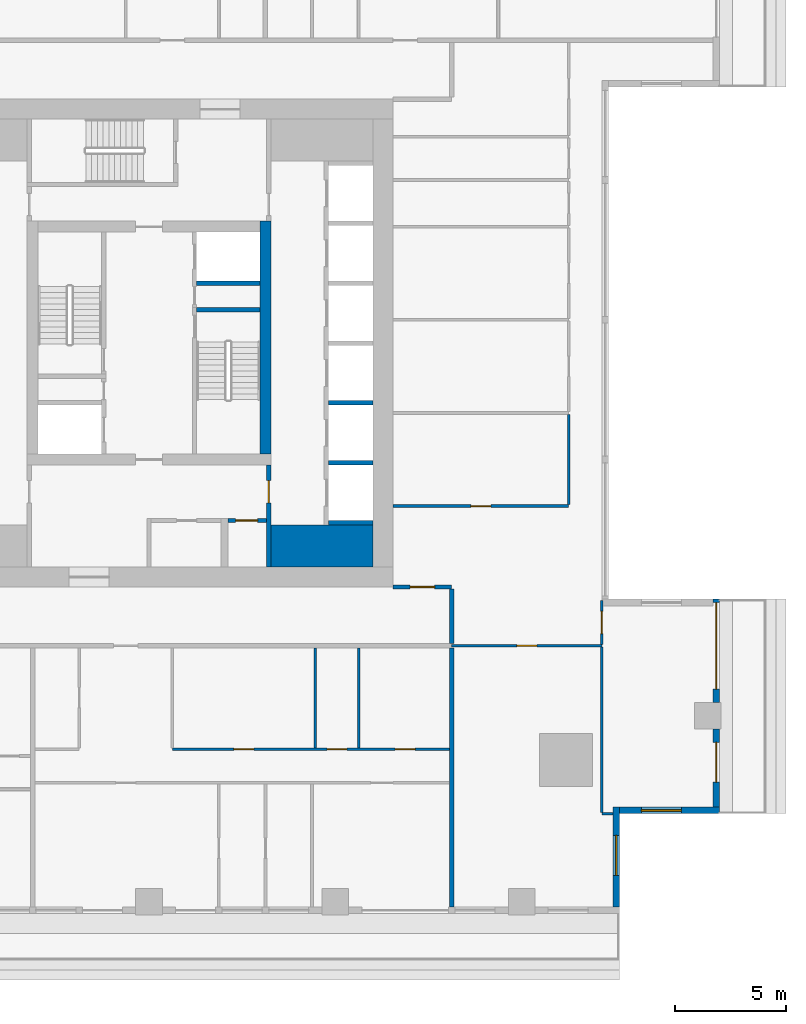
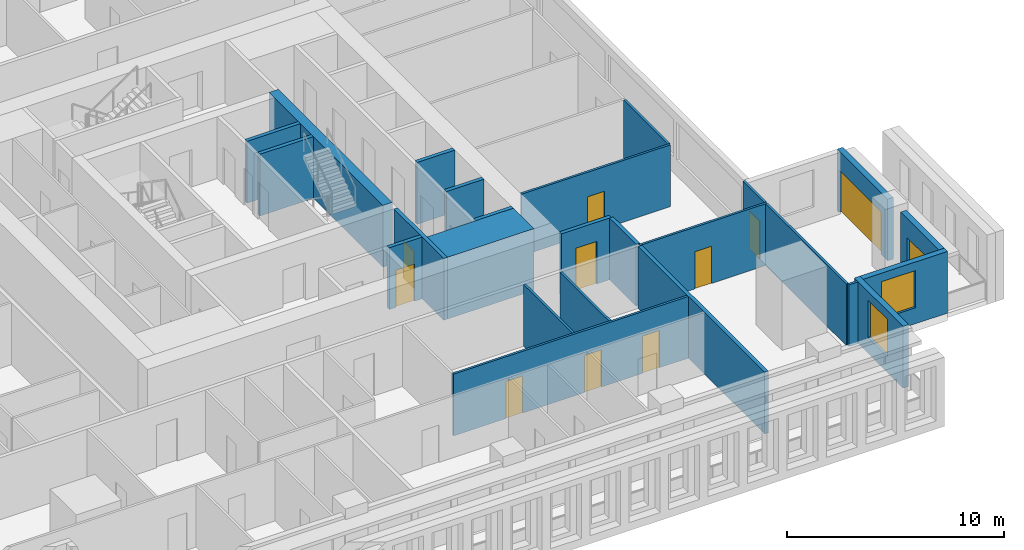
# One storey, part 5 of 15: 25 walls, 11 doors, 2 windows, 13 openings.
"""IFC4 building model written with IfcOpenShell, lengths in metres."""

from ifc_helpers import new_model, si_unit, direction, frame, frame_2d, origin, place, context, subcontext, project, spatial, rectangle, extrude, material, layer, layer_set, type_object, element, fill, save


model = new_model("IFC4")

# Units and contexts
model_context = context("Model", 3, precision=1e-05, world=origin(), true_north=direction((0.0, 1.0)))
body_context = subcontext(model_context, "Body", "Model", "MODEL_VIEW")
ifc_project = project(units=[si_unit("LENGTHUNIT", "METRE"), si_unit("AREAUNIT", "SQUARE_METRE"), si_unit("VOLUMEUNIT", "CUBIC_METRE"), si_unit("PLANEANGLEUNIT", "RADIAN"), si_unit("MASSUNIT", "GRAM", prefix="KILO")], contexts=[model_context])

# Site, building, storey
site_placement = place(None, origin())
site = spatial("IfcSite", under=ifc_project, at=site_placement, CompositionType="ELEMENT")
building_placement = place(site_placement, origin())
building = spatial("IfcBuilding", under=site, at=building_placement, Name="Khepri Terraces", CompositionType="ELEMENT")
storey_placement = place(building_placement, frame((0.0, 0.0, 223.5)))
storey = spatial("IfcBuildingStorey", under=building, at=storey_placement, Name="L53", CompositionType="ELEMENT", Elevation=223.5)

# Walls
ifc_material_1 = material(Name="Concrete C50/60", Category="concrete")
ifc_layer_1 = layer(ifc_material_1, 1.89990234375, Name="Concrete C50/60", Category="concrete")
ifc_layer_set_1 = layer_set([ifc_layer_1], Name="Concrete C50/60")
wall_type_1 = type_object("IfcWallType", Name="Core wall 1900 C50/60", PredefinedType="SHEAR", material=ifc_layer_set_1)
wall_1_placement = place(storey_placement, frame((5.5, -9.14990234375, 0.0), z_axis=(0.0, 0.0, 1.0), x_axis=(1.0, 0.0, 0.0)))
element("IfcWall", 1, at=wall_1_placement, inside=storey, type_object=wall_type_1, Name="Core wall PR02 L53", PredefinedType="SHEAR", context=body_context, shape_type="SweptSolid", body=[
    extrude(rectangle(XDim=4.60009765625, YDim=1.89990234375, at=frame_2d((2.300048828125, 0.0))), origin(), (0.0, 0.0, 1.0), 3.47998046875),
])
ifc_layer_2 = layer(ifc_material_1, 0.199951171875, Name="Concrete C50/60", Category="concrete")
ifc_layer_set_2 = layer_set([ifc_layer_2], Name="Concrete C50/60")
wall_type_2 = type_object("IfcWallType", Name="Core wall 200 C50/60", PredefinedType="SHEAR", material=ifc_layer_set_2)
wall_2_placement = place(storey_placement, frame((2.14990234375, 1.5, 0.0), z_axis=(0.0, 0.0, 1.0), x_axis=(1.0, 0.0, 0.0)))
element("IfcWall", 2, at=wall_2_placement, inside=storey, type_object=wall_type_2, Name="Core wall ST04 L53", PredefinedType="SHEAR", context=body_context, shape_type="SweptSolid", body=[
    extrude(rectangle(XDim=2.85009765625, YDim=0.199951171875, at=frame_2d((1.425048828125, 0.0))), origin(), (0.0, 0.0, 1.0), 3.47998046875),
])
for number, where, z_axis, x_axis, name in (
    (3, (8.10009765625, -8.10009765625, 0.0), (0.0, 0.0, 1.0), (1.0, 0.0, 0.0), "Core wall SH03 L53"),
    (4, (8.10009765625, -5.39990234375, 0.0), (0.0, 0.0, 1.0), (1.0, 0.0, 0.0), "Core wall SH04 L53"),
    (5, (8.10009765625, -2.699951171875, 0.0), (0.0, 0.0, 1.0), (1.0, 0.0, 0.0), "Core wall SH08 L53"),
):
    element("IfcWall", number, at=place(storey_placement, frame(where, z_axis=z_axis, x_axis=x_axis)), inside=storey, type_object=wall_type_2, Name=name, PredefinedType="SHEAR", context=body_context, shape_type="SweptSolid", body=[
        extrude(rectangle(XDim=2.0, YDim=0.199951171875, at=frame_2d((1.0, 0.0))), origin(), (0.0, 0.0, 1.0), 3.47998046875),
    ])
wall_3_placement = place(storey_placement, frame((2.14990234375, 2.699951171875, 0.0), z_axis=(0.0, 0.0, 1.0), x_axis=(1.0, 0.0, 0.0)))
element("IfcWall", 6, at=wall_3_placement, inside=storey, type_object=wall_type_2, Name="Core wall SH12 L53", PredefinedType="SHEAR", context=body_context, shape_type="SweptSolid", body=[
    extrude(rectangle(XDim=2.85009765625, YDim=0.199951171875, at=frame_2d((1.425048828125, 0.0))), origin(), (0.0, 0.0, 1.0), 3.47998046875),
])
ifc_layer_3 = layer(ifc_material_1, 0.5, Name="Concrete C50/60", Category="concrete")
ifc_layer_set_3 = layer_set([ifc_layer_3], Name="Concrete C50/60")
wall_type_3 = type_object("IfcWallType", Name="Core wall 500 C50/60", PredefinedType="SHEAR", material=ifc_layer_set_3)
wall_4_placement = place(storey_placement, frame((5.25, -5.0, 0.0), z_axis=(0.0, 0.0, 1.0), x_axis=(0.0, 1.0, 0.0)))
element("IfcWall", 7, at=wall_4_placement, inside=storey, type_object=wall_type_3, Name="Core wall BX03 L53", PredefinedType="SHEAR", context=body_context, shape_type="SweptSolid", body=[
    extrude(rectangle(XDim=10.5, YDim=0.5, at=frame_2d((5.25, 0.0))), origin(), (0.0, 0.0, 1.0), 3.47998046875),
])

# Wall, opening, door
ifc_material_2 = material(Name="Fire-rated gypsum board partition")
ifc_layer_4 = layer(ifc_material_2, 0.199951171875, Name="Fire-rated gypsum board partition")
ifc_layer_set_4 = layer_set([ifc_layer_4], Name="Fire-rated gypsum board partition")
wall_type_4 = type_object("IfcWallType", Name="WL-CORE-PART-200", PredefinedType="PARTITIONING", material=ifc_layer_set_4)
wall_5_placement = place(storey_placement, frame((5.39990234375, -10.10009765625, 0.0), z_axis=(0.0, 0.0, 1.0), x_axis=(0.0, 1.0, 0.0)))
wall_5 = element("IfcWall", 8, at=wall_5_placement, inside=storey, type_object=wall_type_4, Name="Core partition PT04 L53", PredefinedType="PARTITIONING", context=body_context, shape_type="SweptSolid", body=[
    extrude(rectangle(XDim=4.60009765625, YDim=0.199951171875, at=frame_2d((2.300048828125, 0.0))), origin(), (0.0, 0.0, 1.0), 3.47998046875),
])
opening_1_placement = place(wall_5_placement, frame((2.89990234375, 0.0, 0.0)))
opening_1 = element("IfcOpeningElement", 9, at=opening_1_placement, cuts=wall_5, Name="Opening L53-C19", PredefinedType="OPENING", context=body_context, shape_type="SweptSolid", body=[
    extrude(rectangle(XDim=1.0, YDim=2.10009765625, at=frame_2d((0.5, 1.050048828125))), frame((0.0, 0.10986328125, 0.0), z_axis=(0.0, -1.0, 0.0), x_axis=(1.0, 0.0, 0.0)), (0.0, 0.0, 1.0), 0.219970703125),
])
ifc_material_3 = material(Name="Painted steel", Category="steel")
door_type_1 = type_object("IfcDoorType", Name="DR-CORE-LOBBY-1000", OperationType="NOTDEFINED", PredefinedType="DOOR", material=ifc_material_3)
door_1_placement = place(opening_1_placement, origin())
door_1 = element("IfcDoor", 10, at=door_1_placement, inside=storey, type_object=door_type_1, Name="Lobby door L53-C19", OperationType="SINGLE_SWING_RIGHT", OverallHeight=2.10009765625, OverallWidth=1.0, PredefinedType="DOOR", context=body_context, shape_type="SweptSolid", body=[
    extrude(rectangle(XDim=1.0, YDim=2.10009765625, at=frame_2d((0.5, 1.050048828125))), frame((0.0, 0.02490234375, 0.0), z_axis=(0.0, -1.0, 0.0), x_axis=(1.0, 0.0, 0.0)), (0.0, 0.0, 1.0), 0.050048828125),
])
fill(opening_1, door_1)

wall_6_placement = place(storey_placement, frame((3.550048828125, -8.0, 0.0), z_axis=(0.0, 0.0, 1.0), x_axis=(1.0, 0.0, 0.0)))
wall_6 = element("IfcWall", 11, at=wall_6_placement, inside=storey, type_object=wall_type_4, Name="Core partition PT07 L53", PredefinedType="PARTITIONING", context=body_context, shape_type="SweptSolid", body=[
    extrude(rectangle(XDim=1.75, YDim=0.199951171875, at=frame_2d((0.875, 0.0))), origin(), (0.0, 0.0, 1.0), 3.47998046875),
])
opening_2_placement = place(wall_6_placement, frame((0.35009765625, 0.0, 0.0)))
opening_2 = element("IfcOpeningElement", 12, at=opening_2_placement, cuts=wall_6, Name="Opening L53-C23", PredefinedType="OPENING", context=body_context, shape_type="SweptSolid", body=[
    extrude(rectangle(XDim=1.0, YDim=2.10009765625, at=frame_2d((0.5, 1.050048828125))), frame((0.0, 0.10986328125, 0.0), z_axis=(0.0, -1.0, 0.0), x_axis=(1.0, 0.0, 0.0)), (0.0, 0.0, 1.0), 0.219970703125),
])
ifc_material_4 = material(Name="Timber veneer", Category="wood")
door_type_2 = type_object("IfcDoorType", Name="DR-CORE-WC-1000", OperationType="NOTDEFINED", PredefinedType="DOOR", material=ifc_material_4)
door_2_placement = place(opening_2_placement, frame((1.0, 0.0, 0.0), z_axis=(0.0, 0.0, 1.0), x_axis=(-1.0, 0.0, 0.0)))
door_2 = element("IfcDoor", 13, at=door_2_placement, inside=storey, type_object=door_type_2, Name="WC door L53-C23", OperationType="SINGLE_SWING_RIGHT", OverallHeight=2.10009765625, OverallWidth=1.0, PredefinedType="DOOR", context=body_context, shape_type="SweptSolid", body=[
    extrude(rectangle(XDim=1.0, YDim=2.10009765625, at=frame_2d((0.5, 1.050048828125))), frame((0.0, 0.02490234375, 0.0), z_axis=(0.0, -1.0, 0.0), x_axis=(1.0, 0.0, 0.0)), (0.0, 0.0, 1.0), 0.050048828125),
])
fill(opening_2, door_2)

# Walls
ifc_material_5 = material(Name="Fire-rated gypsum plasterboard partition, mineral wool")
ifc_layer_5 = layer(ifc_material_5, 0.199951171875, Name="Fire-rated gypsum plasterboard partition, mineral wool")
ifc_layer_set_5 = layer_set([ifc_layer_5], Name="Fire-rated gypsum plasterboard partition, mineral wool")
wall_type_5 = type_object("IfcWallType", Name="WL-CORR-200", PredefinedType="PARTITIONING", material=ifc_layer_set_5)
wall_7_placement = place(storey_placement, frame((13.64990234375, -25.419921875, 0.0), z_axis=(0.0, 0.0, 1.0), x_axis=(0.0, 1.0, 0.0)))
element("IfcWall", 14, at=wall_7_placement, inside=storey, type_object=wall_type_5, Name="Partition P-008 L53", PredefinedType="PARTITIONING", context=body_context, shape_type="SweptSolid", body=[
    extrude(rectangle(XDim=11.669921875, YDim=0.199951171875, at=frame_2d((5.8349609375, 0.0))), origin(), (0.0, 0.0, 1.0), 3.47998046875),
])
wall_8_placement = place(storey_placement, frame((13.64990234375, -13.550048828125, 0.0), z_axis=(0.0, 0.0, 1.0), x_axis=(0.0, 1.0, 0.0)))
element("IfcWall", 15, at=wall_8_placement, inside=storey, type_object=wall_type_5, Name="Partition P-029 L53", PredefinedType="PARTITIONING", context=body_context, shape_type="SweptSolid", body=[
    extrude(rectangle(XDim=2.449951171875, YDim=0.199951171875, at=frame_2d((1.22509765625, 0.0))), origin(), (0.0, 0.0, 1.0), 3.47998046875),
])

# Wall, opening, door
wall_9_placement = place(storey_placement, frame((11.0, -11.0, 0.0), z_axis=(0.0, 0.0, 1.0), x_axis=(1.0, 0.0, 0.0)))
wall_9 = element("IfcWall", 16, at=wall_9_placement, inside=storey, type_object=wall_type_5, Name="Partition P-035 L53", PredefinedType="PARTITIONING", context=body_context, shape_type="SweptSolid", body=[
    extrude(rectangle(XDim=2.64990234375, YDim=0.199951171875, at=frame_2d((1.324951171875, 0.0))), origin(), (0.0, 0.0, 1.0), 3.47998046875),
])
opening_3_placement = place(wall_9_placement, frame((0.77490234375, 0.0, 0.0)))
opening_3 = element("IfcOpeningElement", 17, at=opening_3_placement, cuts=wall_9, Name="Opening D1", PredefinedType="OPENING", context=body_context, shape_type="SweptSolid", body=[
    extrude(rectangle(XDim=1.10009765625, YDim=2.39990234375, at=frame_2d((0.550048828125, 1.199951171875))), frame((0.0, 0.10986328125, 0.0), z_axis=(0.0, -1.0, 0.0), x_axis=(1.0, 0.0, 0.0)), (0.0, 0.0, 1.0), 0.219970703125),
])
ifc_material_6 = material(Name="Solid-core timber door leaf, flat entrance door", Category="wood")
door_type_3 = type_object("IfcDoorType", Name="DR-ENT-1100", OperationType="NOTDEFINED", PredefinedType="DOOR", material=ifc_material_6)
door_3_placement = place(opening_3_placement, origin())
door_3 = element("IfcDoor", 18, at=door_3_placement, inside=storey, type_object=door_type_3, Name="Flat B1 entrance door", OperationType="SINGLE_SWING_LEFT", OverallHeight=2.39990234375, OverallWidth=1.10009765625, PredefinedType="DOOR", context=body_context, shape_type="SweptSolid", body=[
    extrude(rectangle(XDim=1.10009765625, YDim=2.39990234375, at=frame_2d((0.550048828125, 1.199951171875))), frame((0.0, 0.02490234375, 0.0), z_axis=(0.0, -1.0, 0.0), x_axis=(1.0, 0.0, 0.0)), (0.0, 0.0, 1.0), 0.050048828125),
])
fill(opening_3, door_3)

# Wall, opening, window
ifc_material_7 = material(Name="Precast concrete C50/60 warm stone", Category="masonry")
ifc_layer_6 = layer(ifc_material_7, 0.300048828125, Name="Precast concrete C50/60 warm stone", Category="masonry")
ifc_layer_set_6 = layer_set([ifc_layer_6], Name="Precast concrete C50/60 warm stone")
wall_type_6 = type_object("IfcWallType", Name="WL-EXT-PRECAST-300", PredefinedType="STANDARD", material=ifc_layer_set_6)
wall_10_placement = place(storey_placement, frame((21.219970703125, -21.070068359375, 0.0), z_axis=(0.0, 0.0, 1.0), x_axis=(1.0, 0.0, 0.0)))
wall_10 = element("IfcWall", 19, at=wall_10_placement, inside=storey, type_object=wall_type_6, Name="External wall L53 S", PredefinedType="STANDARD", context=body_context, shape_type="SweptSolid", body=[
    extrude(rectangle(XDim=4.5, YDim=0.300048828125, at=frame_2d((2.25, 0.0))), origin(), (0.0, 0.0, 1.0), 3.47998046875),
])
opening_4_placement = place(wall_10_placement, frame((0.97998046875, 0.0, 0.89990234375)))
opening_4 = element("IfcOpeningElement", 20, at=opening_4_placement, cuts=wall_10, Name="Opening W1", PredefinedType="OPENING", context=body_context, shape_type="SweptSolid", body=[
    extrude(rectangle(XDim=1.800048828125, YDim=2.10009765625, at=frame_2d((0.89990234375, 1.050048828125))), frame((0.0, 0.16015625, 0.0), z_axis=(0.0, -1.0, 0.0), x_axis=(1.0, 0.0, 0.0)), (0.0, 0.0, 1.0), 0.320068359375),
])
ifc_material_8 = material(Name="Clear glass", Category="glass")
window_type = type_object("IfcWindowType", Name="WIN-RES-1800x2100", PartitioningType="SINGLE_PANEL", PredefinedType="WINDOW", material=ifc_material_8)
window_1_placement = place(opening_4_placement, origin())
window_1 = element("IfcWindow", 21, at=window_1_placement, inside=storey, type_object=window_type, Name="Window L53 S", OverallHeight=2.10009765625, OverallWidth=1.800048828125, PartitioningType="SINGLE_PANEL", PredefinedType="WINDOW", context=body_context, shape_type="SweptSolid", body=[
    extrude(rectangle(XDim=1.800048828125, YDim=2.10009765625, at=frame_2d((0.89990234375, 1.050048828125))), frame((0.0, 0.030029296875, 0.0), z_axis=(0.0, -1.0, 0.0), x_axis=(1.0, 0.0, 0.0)), (0.0, 0.0, 1.0), 0.06005859375),
])
fill(opening_4, window_1)

# Wall, opening, door
wall_11_placement = place(storey_placement, frame((25.570068359375, -20.919921875, 0.0), z_axis=(0.0, 0.0, 1.0), x_axis=(0.0, 1.0, 0.0)))
wall_11 = element("IfcWall", 22, at=wall_11_placement, inside=storey, type_object=wall_type_6, Name="External wall L53 E", PredefinedType="STANDARD", context=body_context, shape_type="SweptSolid", body=[
    extrude(rectangle(XDim=3.52001953125, YDim=0.300048828125, at=frame_2d((1.760009765625, 0.0))), origin(), (0.0, 0.0, 1.0), 3.47998046875),
])
opening_5_placement = place(wall_11_placement, frame((1.1201171875, 0.0, 0.0)))
opening_5 = element("IfcOpeningElement", 23, at=opening_5_placement, cuts=wall_11, Name="Opening ED-L53-01", PredefinedType="OPENING", context=body_context, shape_type="SweptSolid", body=[
    extrude(rectangle(XDim=1.800048828125, YDim=2.39990234375, at=frame_2d((0.89990234375, 1.199951171875))), frame((0.0, 0.16015625, 0.0), z_axis=(0.0, -1.0, 0.0), x_axis=(1.0, 0.0, 0.0)), (0.0, 0.0, 1.0), 0.320068359375),
])
ifc_material_9 = material(Name="Anodised aluminium bronze glazed door", Category="aluminium")
door_type_4 = type_object("IfcDoorType", Name="DR-BAL-SLIDE-1800x2400", OperationType="NOTDEFINED", PredefinedType="DOOR", material=ifc_material_9)
door_4_placement = place(opening_5_placement, origin())
door_4 = element("IfcDoor", 24, at=door_4_placement, inside=storey, type_object=door_type_4, Name="Balcony door L53 E", OperationType="SLIDING_TO_RIGHT", OverallHeight=2.39990234375, OverallWidth=1.800048828125, PredefinedType="DOOR", context=body_context, shape_type="SweptSolid", body=[
    extrude(rectangle(XDim=1.800048828125, YDim=2.39990234375, at=frame_2d((0.89990234375, 1.199951171875))), frame((0.0, 0.02490234375, 0.0), z_axis=(0.0, -1.0, 0.0), x_axis=(1.0, 0.0, 0.0)), (0.0, 0.0, 1.0), 0.050048828125),
])
fill(opening_5, door_4)

wall_12_placement = place(storey_placement, frame((25.570068359375, -16.199951171875, 0.0), z_axis=(0.0, 0.0, 1.0), x_axis=(0.0, 1.0, 0.0)))
wall_12 = element("IfcWall", 25, at=wall_12_placement, inside=storey, type_object=wall_type_6, Name="External wall L53 E", PredefinedType="STANDARD", context=body_context, shape_type="SweptSolid", body=[
    extrude(rectangle(XDim=4.64990234375, YDim=0.300048828125, at=frame_2d((2.324951171875, 0.0))), origin(), (0.0, 0.0, 1.0), 3.47998046875),
])
opening_6_placement = place(wall_12_placement, frame((0.60009765625, 0.0, 0.0)))
opening_6 = element("IfcOpeningElement", 26, at=opening_6_placement, cuts=wall_12, Name="Opening ED-L53-02", PredefinedType="OPENING", context=body_context, shape_type="SweptSolid", body=[
    extrude(rectangle(XDim=3.89990234375, YDim=2.39990234375, at=frame_2d((1.949951171875, 1.199951171875))), frame((0.0, 0.16015625, 0.0), z_axis=(0.0, -1.0, 0.0), x_axis=(1.0, 0.0, 0.0)), (0.0, 0.0, 1.0), 0.320068359375),
])
door_type_5 = type_object("IfcDoorType", Name="DR-BAL-SLIDE-3900x2400", OperationType="NOTDEFINED", PredefinedType="DOOR", material=ifc_material_9)
door_5_placement = place(opening_6_placement, origin())
door_5 = element("IfcDoor", 27, at=door_5_placement, inside=storey, type_object=door_type_5, Name="Balcony door L53 E", OperationType="SLIDING_TO_LEFT", OverallHeight=2.39990234375, OverallWidth=3.89990234375, PredefinedType="DOOR", context=body_context, shape_type="SweptSolid", body=[
    extrude(rectangle(XDim=3.89990234375, YDim=2.39990234375, at=frame_2d((1.949951171875, 1.199951171875))), frame((0.0, 0.02490234375, 0.0), z_axis=(0.0, -1.0, 0.0), x_axis=(1.0, 0.0, 0.0)), (0.0, 0.0, 1.0), 0.050048828125),
])
fill(opening_6, door_5)

# Wall, opening, window
wall_13_placement = place(storey_placement, frame((21.070068359375, -25.419921875, 0.0), z_axis=(0.0, 0.0, 1.0), x_axis=(0.0, 1.0, 0.0)))
wall_13 = element("IfcWall", 28, at=wall_13_placement, inside=storey, type_object=wall_type_6, Name="External wall L53 E", PredefinedType="STANDARD", context=body_context, shape_type="SweptSolid", body=[
    extrude(rectangle(XDim=4.5, YDim=0.300048828125, at=frame_2d((2.25, 0.0))), origin(), (0.0, 0.0, 1.0), 3.47998046875),
])
opening_7_placement = place(wall_13_placement, frame((1.419921875, 0.0, 0.89990234375)))
opening_7 = element("IfcOpeningElement", 29, at=opening_7_placement, cuts=wall_13, Name="Opening W1", PredefinedType="OPENING", context=body_context, shape_type="SweptSolid", body=[
    extrude(rectangle(XDim=1.800048828125, YDim=2.10009765625, at=frame_2d((0.89990234375, 1.050048828125))), frame((0.0, 0.16015625, 0.0), z_axis=(0.0, -1.0, 0.0), x_axis=(1.0, 0.0, 0.0)), (0.0, 0.0, 1.0), 0.320068359375),
])
window_2_placement = place(opening_7_placement, origin())
window_2 = element("IfcWindow", 30, at=window_2_placement, inside=storey, type_object=window_type, Name="Window L53 E", OverallHeight=2.10009765625, OverallWidth=1.800048828125, PartitioningType="SINGLE_PANEL", PredefinedType="WINDOW", context=body_context, shape_type="SweptSolid", body=[
    extrude(rectangle(XDim=1.800048828125, YDim=2.10009765625, at=frame_2d((0.89990234375, 1.050048828125))), frame((0.0, 0.030029296875, 0.0), z_axis=(0.0, -1.0, 0.0), x_axis=(1.0, 0.0, 0.0)), (0.0, 0.0, 1.0), 0.06005859375),
])
fill(opening_7, window_2)

# Walls
ifc_material_10 = material(Name="Gypsum plasterboard partition")
ifc_layer_7 = layer(ifc_material_10, 0.1201171875, Name="Gypsum plasterboard partition")
ifc_layer_set_7 = layer_set([ifc_layer_7], Name="Gypsum plasterboard partition")
wall_type_7 = type_object("IfcWallType", Name="WL-PART-120", PredefinedType="PARTITIONING", material=ifc_layer_set_7)
wall_14_placement = place(storey_placement, frame((20.419921875, -21.218994140625, 0.0), z_axis=(0.0, 0.0, 1.0), x_axis=(1.0, 0.0, 0.0)))
element("IfcWall", 31, at=wall_14_placement, inside=storey, type_object=wall_type_7, Name="Partition P-009 L53", PredefinedType="PARTITIONING", context=body_context, shape_type="SweptSolid", body=[
    extrude(rectangle(XDim=0.5009765625, YDim=0.1201171875, at=frame_2d((0.25048828125, 0.0))), origin(), (0.0, 0.0, 1.0), 3.47998046875),
])
wall_15_placement = place(storey_placement, frame((20.419921875, -21.158935546875, 0.0), z_axis=(0.0, 0.0, 1.0), x_axis=(0.0, 1.0, 0.0)))
element("IfcWall", 32, at=wall_15_placement, inside=storey, type_object=wall_type_7, Name="Partition P-010 L53", PredefinedType="PARTITIONING", context=body_context, shape_type="SweptSolid", body=[
    extrude(rectangle(XDim=7.448974609375, YDim=0.1201171875, at=frame_2d((3.724609375, 0.0))), origin(), (0.0, 0.0, 1.0), 3.47998046875),
])

# Wall, openings, doors
wall_16_placement = place(storey_placement, frame((1.050048828125, -18.320068359375, 0.0), z_axis=(0.0, 0.0, 1.0), x_axis=(1.0, 0.0, 0.0)))
wall_16 = element("IfcWall", 33, at=wall_16_placement, inside=storey, type_object=wall_type_7, Name="Partition P-018 L53", PredefinedType="PARTITIONING", context=body_context, shape_type="SweptSolid", body=[
    extrude(rectangle(XDim=12.5, YDim=0.1201171875, at=frame_2d((6.25, 0.0))), origin(), (0.0, 0.0, 1.0), 3.47998046875),
])
opening_8_placement = place(wall_16_placement, frame((2.77490234375, 0.0, 0.0)))
opening_8 = element("IfcOpeningElement", 34, at=opening_8_placement, cuts=wall_16, Name="Opening D3", PredefinedType="OPENING", context=body_context, shape_type="SweptSolid", body=[
    extrude(rectangle(XDim=0.89990234375, YDim=2.10009765625, at=frame_2d((0.449951171875, 1.050048828125))), frame((0.0, 0.070068359375, 0.0), z_axis=(0.0, -1.0, 0.0), x_axis=(1.0, 0.0, 0.0)), (0.0, 0.0, 1.0), 0.14013671875),
])
opening_9_placement = place(wall_16_placement, frame((6.97509765625, 0.0, 0.0)))
opening_9 = element("IfcOpeningElement", 35, at=opening_9_placement, cuts=wall_16, Name="Opening D4", PredefinedType="OPENING", context=body_context, shape_type="SweptSolid", body=[
    extrude(rectangle(XDim=0.89990234375, YDim=2.10009765625, at=frame_2d((0.449951171875, 1.050048828125))), frame((0.0, 0.070068359375, 0.0), z_axis=(0.0, -1.0, 0.0), x_axis=(1.0, 0.0, 0.0)), (0.0, 0.0, 1.0), 0.14013671875),
])
opening_10_placement = place(wall_16_placement, frame((10.050048828125, 0.0, 0.0)))
opening_10 = element("IfcOpeningElement", 36, at=opening_10_placement, cuts=wall_16, Name="Opening D3", PredefinedType="OPENING", context=body_context, shape_type="SweptSolid", body=[
    extrude(rectangle(XDim=0.89990234375, YDim=2.10009765625, at=frame_2d((0.449951171875, 1.050048828125))), frame((0.0, 0.070068359375, 0.0), z_axis=(0.0, -1.0, 0.0), x_axis=(1.0, 0.0, 0.0)), (0.0, 0.0, 1.0), 0.14013671875),
])
ifc_material_11 = material(Name="Timber door leaf", Category="wood")
door_type_6 = type_object("IfcDoorType", Name="DR-INT-900", OperationType="NOTDEFINED", PredefinedType="DOOR", material=ifc_material_11)
door_6_placement = place(opening_8_placement, origin())
door_6 = element("IfcDoor", 37, at=door_6_placement, inside=storey, type_object=door_type_6, Name="Door Kitchen", OperationType="SINGLE_SWING_LEFT", OverallHeight=2.10009765625, OverallWidth=0.89990234375, PredefinedType="DOOR", context=body_context, shape_type="SweptSolid", body=[
    extrude(rectangle(XDim=0.89990234375, YDim=2.10009765625, at=frame_2d((0.449951171875, 1.050048828125))), frame((0.0, 0.02490234375, 0.0), z_axis=(0.0, -1.0, 0.0), x_axis=(1.0, 0.0, 0.0)), (0.0, 0.0, 1.0), 0.050048828125),
])
fill(opening_8, door_6)
door_7_placement = place(opening_10_placement, origin())
door_7 = element("IfcDoor", 38, at=door_7_placement, inside=storey, type_object=door_type_6, Name="Door Utility Room", OperationType="SINGLE_SWING_RIGHT", OverallHeight=2.10009765625, OverallWidth=0.89990234375, PredefinedType="DOOR", context=body_context, shape_type="SweptSolid", body=[
    extrude(rectangle(XDim=0.89990234375, YDim=2.10009765625, at=frame_2d((0.449951171875, 1.050048828125))), frame((0.0, 0.02490234375, 0.0), z_axis=(0.0, -1.0, 0.0), x_axis=(1.0, 0.0, 0.0)), (0.0, 0.0, 1.0), 0.050048828125),
])
fill(opening_10, door_7)
ifc_material_12 = material(Name="Timber door leaf, moisture resistant", Category="wood")
door_type_7 = type_object("IfcDoorType", Name="DR-WET-900", OperationType="NOTDEFINED", PredefinedType="DOOR", material=ifc_material_12)
door_8_placement = place(opening_9_placement, origin())
door_8 = element("IfcDoor", 39, at=door_8_placement, inside=storey, type_object=door_type_7, Name="Door Powder Room", OperationType="SINGLE_SWING_RIGHT", OverallHeight=2.10009765625, OverallWidth=0.89990234375, PredefinedType="DOOR", context=body_context, shape_type="SweptSolid", body=[
    extrude(rectangle(XDim=0.89990234375, YDim=2.10009765625, at=frame_2d((0.449951171875, 1.050048828125))), frame((0.0, 0.02490234375, 0.0), z_axis=(0.0, -1.0, 0.0), x_axis=(1.0, 0.0, 0.0)), (0.0, 0.0, 1.0), 0.050048828125),
])
fill(opening_9, door_8)

# Walls
for number, where, z_axis, x_axis, name in (
    (40, (7.5, -18.260009765625, 0.0), (0.0, 0.0, 1.0), (0.0, 1.0, 0.0), "Partition P-021 L53"),
    (41, (9.449951171875, -18.260009765625, 0.0), (0.0, 0.0, 1.0), (0.0, 1.0, 0.0), "Partition P-022 L53"),
):
    element("IfcWall", number, at=place(storey_placement, frame(where, z_axis=z_axis, x_axis=x_axis)), inside=storey, type_object=wall_type_7, Name=name, PredefinedType="PARTITIONING", context=body_context, shape_type="SweptSolid", body=[
        extrude(rectangle(XDim=4.510009765625, YDim=0.1201171875, at=frame_2d((2.2548828125, 0.0))), origin(), (0.0, 0.0, 1.0), 3.47998046875),
    ])

# Wall, opening, door
wall_17_placement = place(storey_placement, frame((13.64990234375, -13.64990234375, 0.0), z_axis=(0.0, 0.0, 1.0), x_axis=(1.0, 0.0, 0.0)))
wall_17 = element("IfcWall", 42, at=wall_17_placement, inside=storey, type_object=wall_type_7, Name="Partition P-024 L53", PredefinedType="PARTITIONING", context=body_context, shape_type="SweptSolid", body=[
    extrude(rectangle(XDim=6.77001953125, YDim=0.1201171875, at=frame_2d((3.385009765625, 0.0))), origin(), (0.0, 0.0, 1.0), 3.47998046875),
])
opening_11_placement = place(wall_17_placement, frame((2.93505859375, 0.0, 0.0)))
opening_11 = element("IfcOpeningElement", 43, at=opening_11_placement, cuts=wall_17, Name="Opening D3", PredefinedType="OPENING", context=body_context, shape_type="SweptSolid", body=[
    extrude(rectangle(XDim=0.89990234375, YDim=2.10009765625, at=frame_2d((0.449951171875, 1.050048828125))), frame((0.0, 0.070068359375, 0.0), z_axis=(0.0, -1.0, 0.0), x_axis=(1.0, 0.0, 0.0)), (0.0, 0.0, 1.0), 0.14013671875),
])
door_9_placement = place(opening_11_placement, frame((0.89990234375, 0.0, 0.0), z_axis=(0.0, 0.0, 1.0), x_axis=(-1.0, 0.0, 0.0)))
door_9 = element("IfcDoor", 44, at=door_9_placement, inside=storey, type_object=door_type_6, Name="Door Home Gym", OperationType="SINGLE_SWING_RIGHT", OverallHeight=2.10009765625, OverallWidth=0.89990234375, PredefinedType="DOOR", context=body_context, shape_type="SweptSolid", body=[
    extrude(rectangle(XDim=0.89990234375, YDim=2.10009765625, at=frame_2d((0.449951171875, 1.050048828125))), frame((0.0, 0.02490234375, 0.0), z_axis=(0.0, -1.0, 0.0), x_axis=(1.0, 0.0, 0.0)), (0.0, 0.0, 1.0), 0.050048828125),
])
fill(opening_11, door_9)

wall_18_placement = place(storey_placement, frame((20.419921875, -13.590087890625, 0.0), z_axis=(0.0, 0.0, 1.0), x_axis=(0.0, 1.0, 0.0)))
wall_18 = element("IfcWall", 45, at=wall_18_placement, inside=storey, type_object=wall_type_7, Name="Partition P-025 L53", PredefinedType="PARTITIONING", context=body_context, shape_type="SweptSolid", body=[
    extrude(rectangle(XDim=1.97998046875, YDim=0.1201171875, at=frame_2d((0.989990234375, 0.0))), origin(), (0.0, 0.0, 1.0), 3.47998046875),
])
opening_12_placement = place(wall_18_placement, frame((0.489990234375, 0.0, 0.0)))
opening_12 = element("IfcOpeningElement", 46, at=opening_12_placement, cuts=wall_18, Name="Opening D2", PredefinedType="OPENING", context=body_context, shape_type="SweptSolid", body=[
    extrude(rectangle(XDim=1.0, YDim=2.10009765625, at=frame_2d((0.5, 1.050048828125))), frame((0.0, 0.070068359375, 0.0), z_axis=(0.0, -1.0, 0.0), x_axis=(1.0, 0.0, 0.0)), (0.0, 0.0, 1.0), 0.14013671875),
])
ifc_material_13 = material(Name="Timber door leaf, living room door", Category="wood")
door_type_8 = type_object("IfcDoorType", Name="DR-INT-1000", OperationType="NOTDEFINED", PredefinedType="DOOR", material=ifc_material_13)
door_10_placement = place(opening_12_placement, frame((1.0, 0.0, 0.0), z_axis=(0.0, 0.0, 1.0), x_axis=(-1.0, 0.0, 0.0)))
door_10 = element("IfcDoor", 47, at=door_10_placement, inside=storey, type_object=door_type_8, Name="Door Living Room", OperationType="SINGLE_SWING_RIGHT", OverallHeight=2.10009765625, OverallWidth=1.0, PredefinedType="DOOR", context=body_context, shape_type="SweptSolid", body=[
    extrude(rectangle(XDim=1.0, YDim=2.10009765625, at=frame_2d((0.5, 1.050048828125))), frame((0.0, 0.02490234375, 0.0), z_axis=(0.0, -1.0, 0.0), x_axis=(1.0, 0.0, 0.0)), (0.0, 0.0, 1.0), 0.050048828125),
])
fill(opening_12, door_10)

wall_19_placement = place(storey_placement, frame((11.0, -7.35009765625, 0.0), z_axis=(0.0, 0.0, 1.0), x_axis=(1.0, 0.0, 0.0)))
wall_19 = element("IfcWall", 48, at=wall_19_placement, inside=storey, type_object=wall_type_7, Name="Partition P-038 L53", PredefinedType="PARTITIONING", context=body_context, shape_type="SweptSolid", body=[
    extrude(rectangle(XDim=7.919921875, YDim=0.1201171875, at=frame_2d((3.9599609375, 0.0))), origin(), (0.0, 0.0, 1.0), 3.47998046875),
])
opening_13_placement = place(wall_19_placement, frame((3.510009765625, 0.0, 0.0)))
opening_13 = element("IfcOpeningElement", 49, at=opening_13_placement, cuts=wall_19, Name="Opening D3", PredefinedType="OPENING", context=body_context, shape_type="SweptSolid", body=[
    extrude(rectangle(XDim=0.89990234375, YDim=2.10009765625, at=frame_2d((0.449951171875, 1.050048828125))), frame((0.0, 0.070068359375, 0.0), z_axis=(0.0, -1.0, 0.0), x_axis=(1.0, 0.0, 0.0)), (0.0, 0.0, 1.0), 0.14013671875),
])
door_11_placement = place(opening_13_placement, origin())
door_11 = element("IfcDoor", 50, at=door_11_placement, inside=storey, type_object=door_type_6, Name="Door Kitchen", OperationType="SINGLE_SWING_RIGHT", OverallHeight=2.10009765625, OverallWidth=0.89990234375, PredefinedType="DOOR", context=body_context, shape_type="SweptSolid", body=[
    extrude(rectangle(XDim=0.89990234375, YDim=2.10009765625, at=frame_2d((0.449951171875, 1.050048828125))), frame((0.0, 0.02490234375, 0.0), z_axis=(0.0, -1.0, 0.0), x_axis=(1.0, 0.0, 0.0)), (0.0, 0.0, 1.0), 0.050048828125),
])
fill(opening_13, door_11)

# Wall
wall_20_placement = place(storey_placement, frame((18.919921875, -7.2900390625, 0.0), z_axis=(0.0, 0.0, 1.0), x_axis=(0.0, 1.0, 0.0)))
element("IfcWall", 51, at=wall_20_placement, inside=storey, type_object=wall_type_7, Name="Partition P-039 L53", PredefinedType="PARTITIONING", context=body_context, shape_type="SweptSolid", body=[
    extrude(rectangle(XDim=4.080078125, YDim=0.1201171875, at=frame_2d((2.0400390625, 0.0))), origin(), (0.0, 0.0, 1.0), 3.47998046875),
])

save(model, "model.ifc")
